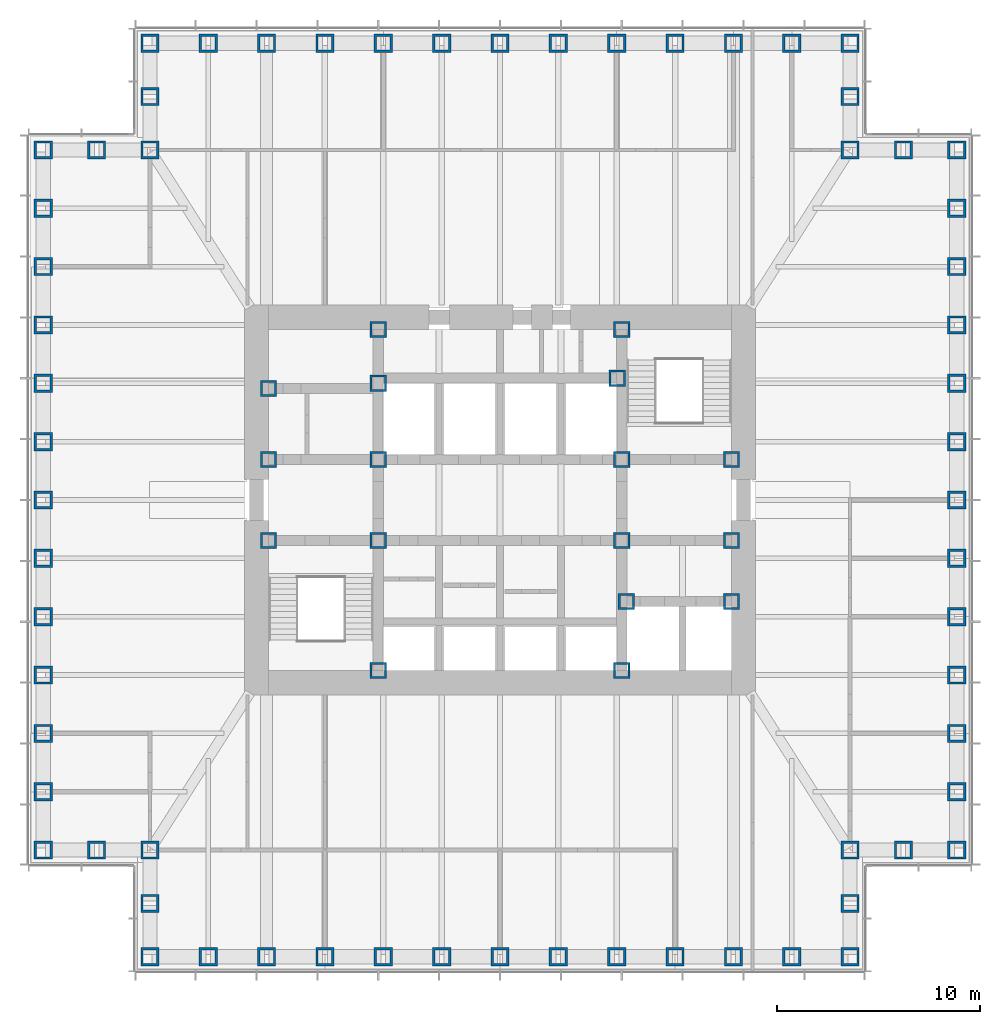
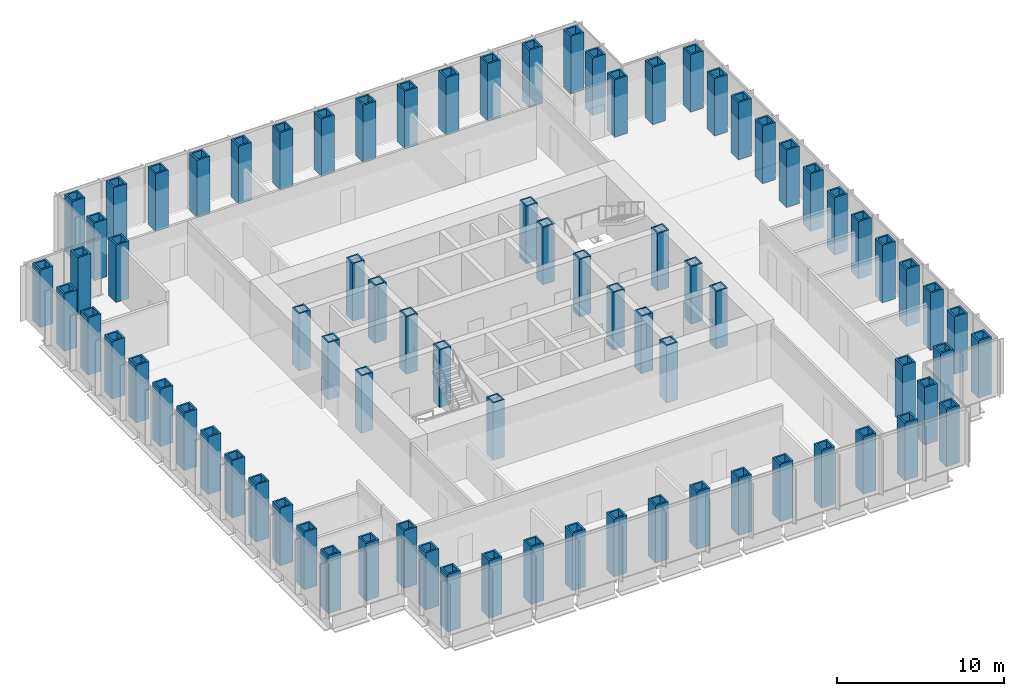
# One storey, part 1 of 17: 81 columns.
"""IFC4 building model written with IfcOpenShell, lengths in metres."""

from ifc_helpers import new_model, si_unit, direction, frame, origin, origin_2d, place, context, subcontext, project, spatial, hollow_rectangle, extrude, material, material_profile, profile_set, type_object, element, save


model = new_model("IFC4")

# Units and contexts
model_context = context("Model", 3, precision=1e-05, world=origin(), true_north=direction((0.0, 1.0)))
body_context = subcontext(model_context, "Body", "Model", "MODEL_VIEW")
ifc_project = project(units=[si_unit("LENGTHUNIT", "METRE"), si_unit("AREAUNIT", "SQUARE_METRE"), si_unit("VOLUMEUNIT", "CUBIC_METRE"), si_unit("PLANEANGLEUNIT", "RADIAN"), si_unit("MASSUNIT", "GRAM", prefix="KILO")], contexts=[model_context])

# Site, building, storey
site_placement = place(None, origin())
site = spatial("IfcSite", under=ifc_project, at=site_placement, CompositionType="ELEMENT")
building_placement = place(site_placement, origin())
building = spatial("IfcBuilding", under=site, at=building_placement, Name="Daluyong Arena Tower", CompositionType="ELEMENT")
storey_placement = place(building_placement, frame((0.0, 0.0, 171.10009765625)))
storey = spatial("IfcBuildingStorey", under=building, at=storey_placement, Name="L38", CompositionType="ELEMENT", Elevation=171.10009765625)

# Columns
ifc_material_1 = material(Name="Steel ASTM A572 Grade 50", Category="steel")
ifc_material_profile_1 = material_profile(ifc_material_1, hollow_rectangle(XDim=0.800048828125, YDim=0.800048828125, WallThickness=0.1, at=origin_2d()))
ifc_profile_set_1 = profile_set([ifc_material_profile_1], Name="Steel ASTM A572 Grade 50")
column_type_1 = type_object("IfcColumnType", Name="Core boundary column BX800X100", PredefinedType="COLUMN", material=ifc_profile_set_1)
for number, where, z_axis, x_axis, name in (
    (1, (44.60009765625, 78.0, 0.0), (0.0, 0.0, 1.0), (1.0, 0.0, 0.0), "core boundary column BC2"),
    (2, (44.60009765625, 82.0, 0.0), (0.0, 0.0, 1.0), (1.0, 0.0, 0.0), "core boundary column BC2"),
    (3, (44.60009765625, 85.5, 0.0), (0.0, 0.0, 1.0), (1.0, 0.0, 0.0), "core boundary column BC2"),
    (4, (50.0, 71.60009765625, 0.0), (0.0, 0.0, 1.0), (1.0, 0.0, 0.0), "core boundary column BC2"),
    (5, (50.0, 78.0, 0.0), (0.0, 0.0, 1.0), (1.0, 0.0, 0.0), "core boundary column BC2"),
    (6, (50.0, 82.0, 0.0), (0.0, 0.0, 1.0), (1.0, 0.0, 0.0), "core boundary column BC2"),
    (7, (50.0, 85.75, 0.0), (0.0, 0.0, 1.0), (1.0, 0.0, 0.0), "core boundary column BC2"),
    (8, (50.0, 88.39990234375, 0.0), (0.0, 0.0, 1.0), (1.0, 0.0, 0.0), "core boundary column BC2"),
    (9, (61.77490234375, 86.0, 0.0), (0.0, 0.0, 1.0), (1.0, 0.0, 0.0), "core boundary column BC2"),
    (10, (62.0, 71.60009765625, 0.0), (0.0, 0.0, 1.0), (1.0, 0.0, 0.0), "core boundary column BC2"),
    (11, (62.0, 78.0, 0.0), (0.0, 0.0, 1.0), (1.0, 0.0, 0.0), "core boundary column BC2"),
    (12, (62.0, 82.0, 0.0), (0.0, 0.0, 1.0), (1.0, 0.0, 0.0), "core boundary column BC2"),
    (13, (62.0, 88.39990234375, 0.0), (0.0, 0.0, 1.0), (1.0, 0.0, 0.0), "core boundary column BC2"),
    (14, (62.22509765625, 75.0, 0.0), (0.0, 0.0, 1.0), (1.0, 0.0, 0.0), "core boundary column BC2"),
    (15, (67.39990234375, 75.0, 0.0), (0.0, 0.0, 1.0), (1.0, 0.0, 0.0), "core boundary column BC2"),
    (16, (67.39990234375, 78.0, 0.0), (0.0, 0.0, 1.0), (1.0, 0.0, 0.0), "core boundary column BC2"),
    (17, (67.39990234375, 82.0, 0.0), (0.0, 0.0, 1.0), (1.0, 0.0, 0.0), "core boundary column BC2"),
):
    element("IfcColumn", number, at=place(storey_placement, frame(where, z_axis=z_axis, x_axis=x_axis)), inside=storey, type_object=column_type_1, Name=name, PredefinedType="COLUMN", context=body_context, shape_type="SweptSolid", body=[
        extrude(hollow_rectangle(XDim=0.800048828125, YDim=0.800048828125, WallThickness=0.1, at=origin_2d()), origin(), (0.0, 0.0, 1.0), 4.199951171875),
    ])
ifc_material_2 = material(Name="Steel ASTM A588 Grade 50", Category="steel")
ifc_material_profile_2 = material_profile(ifc_material_2, hollow_rectangle(XDim=0.89990234375, YDim=0.89990234375, WallThickness=0.12, at=origin_2d()))
ifc_profile_set_2 = profile_set([ifc_material_profile_2], Name="Steel ASTM A588 Grade 50")
column_type_2 = type_object("IfcColumnType", Name="Tube column BX900X120 BX900X120", PredefinedType="COLUMN", material=ifc_profile_set_2)
for number, where, z_axis, x_axis, name in (
    (18, (38.75, 57.5, 0.0), (0.0, 0.0, 1.0), (1.0, 0.0, 0.0), "tube column bx900x120 TC4"),
    (19, (41.625, 57.5, 0.0), (0.0, 0.0, 1.0), (1.0, 0.0, 0.0), "tube column bx900x120 TC4"),
    (20, (44.5, 57.5, 0.0), (0.0, 0.0, 1.0), (1.0, 0.0, 0.0), "tube column bx900x120 TC4"),
    (21, (47.375, 57.5, 0.0), (0.0, 0.0, 1.0), (1.0, 0.0, 0.0), "tube column bx900x120 TC4"),
    (22, (50.25, 57.5, 0.0), (0.0, 0.0, 1.0), (1.0, 0.0, 0.0), "tube column bx900x120 TC4"),
    (23, (53.125, 57.5, 0.0), (0.0, 0.0, 1.0), (1.0, 0.0, 0.0), "tube column bx900x120 TC4"),
    (24, (56.0, 57.5, 0.0), (0.0, 0.0, 1.0), (1.0, 0.0, 0.0), "tube column bx900x120 TC4"),
    (25, (58.875, 57.5, 0.0), (0.0, 0.0, 1.0), (1.0, 0.0, 0.0), "tube column bx900x120 TC4"),
    (26, (61.75, 57.5, 0.0), (0.0, 0.0, 1.0), (1.0, 0.0, 0.0), "tube column bx900x120 TC4"),
    (27, (64.625, 57.5, 0.0), (0.0, 0.0, 1.0), (1.0, 0.0, 0.0), "tube column bx900x120 TC4"),
    (28, (67.5, 57.5, 0.0), (0.0, 0.0, 1.0), (1.0, 0.0, 0.0), "tube column bx900x120 TC4"),
    (29, (70.375, 57.5, 0.0), (0.0, 0.0, 1.0), (1.0, 0.0, 0.0), "tube column bx900x120 TC4"),
    (30, (73.25, 57.5, 0.0), (0.0, 0.0, 1.0), (0.0, 1.0, 0.0), "tube column bx900x120 TC4"),
    (31, (73.25, 60.125, 0.0), (0.0, 0.0, 1.0), (0.0, 1.0, 0.0), "tube column bx900x120 TC4"),
    (32, (73.25, 62.75, 0.0), (0.0, 0.0, 1.0), (1.0, 0.0, 0.0), "tube column bx900x120 TC4"),
    (33, (75.875, 62.75, 0.0), (0.0, 0.0, 1.0), (1.0, 0.0, 0.0), "tube column bx900x120 TC4"),
    (34, (78.5, 62.75, 0.0), (0.0, 0.0, 1.0), (0.0, 1.0, 0.0), "tube column bx900x120 TC4"),
    (35, (78.5, 65.625, 0.0), (0.0, 0.0, 1.0), (0.0, 1.0, 0.0), "tube column bx900x120 TC4"),
    (36, (78.5, 68.5, 0.0), (0.0, 0.0, 1.0), (0.0, 1.0, 0.0), "tube column bx900x120 TC4"),
    (37, (78.5, 71.375, 0.0), (0.0, 0.0, 1.0), (0.0, 1.0, 0.0), "tube column bx900x120 TC4"),
    (38, (78.5, 74.25, 0.0), (0.0, 0.0, 1.0), (0.0, 1.0, 0.0), "tube column bx900x120 TC4"),
    (39, (78.5, 77.125, 0.0), (0.0, 0.0, 1.0), (0.0, 1.0, 0.0), "tube column bx900x120 TC4"),
    (40, (78.5, 80.0, 0.0), (0.0, 0.0, 1.0), (0.0, 1.0, 0.0), "tube column bx900x120 TC4"),
    (41, (78.5, 82.875, 0.0), (0.0, 0.0, 1.0), (0.0, 1.0, 0.0), "tube column bx900x120 TC4"),
    (42, (78.5, 85.75, 0.0), (0.0, 0.0, 1.0), (0.0, 1.0, 0.0), "tube column bx900x120 TC4"),
    (43, (78.5, 88.625, 0.0), (0.0, 0.0, 1.0), (0.0, 1.0, 0.0), "tube column bx900x120 TC4"),
    (44, (78.5, 91.5, 0.0), (0.0, 0.0, 1.0), (0.0, 1.0, 0.0), "tube column bx900x120 TC4"),
    (45, (78.5, 94.375, 0.0), (0.0, 0.0, 1.0), (0.0, 1.0, 0.0), "tube column bx900x120 TC4"),
    (46, (78.5, 97.25, 0.0), (0.0, 0.0, 1.0), (1.0, 0.0, 0.0), "tube column bx900x120 TC4"),
    (47, (75.875, 97.25, 0.0), (0.0, 0.0, 1.0), (1.0, 0.0, 0.0), "tube column bx900x120 TC4"),
    (48, (73.25, 97.25, 0.0), (0.0, 0.0, 1.0), (0.0, 1.0, 0.0), "tube column bx900x120 TC4"),
    (49, (73.25, 99.875, 0.0), (0.0, 0.0, 1.0), (0.0, 1.0, 0.0), "tube column bx900x120 TC4"),
    (50, (73.25, 102.5, 0.0), (0.0, 0.0, 1.0), (1.0, 0.0, 0.0), "tube column bx900x120 TC4"),
    (51, (70.375, 102.5, 0.0), (0.0, 0.0, 1.0), (1.0, 0.0, 0.0), "tube column bx900x120 TC4"),
    (52, (67.5, 102.5, 0.0), (0.0, 0.0, 1.0), (1.0, 0.0, 0.0), "tube column bx900x120 TC4"),
    (53, (64.625, 102.5, 0.0), (0.0, 0.0, 1.0), (1.0, 0.0, 0.0), "tube column bx900x120 TC4"),
    (54, (61.75, 102.5, 0.0), (0.0, 0.0, 1.0), (1.0, 0.0, 0.0), "tube column bx900x120 TC4"),
    (55, (58.875, 102.5, 0.0), (0.0, 0.0, 1.0), (1.0, 0.0, 0.0), "tube column bx900x120 TC4"),
    (56, (56.0, 102.5, 0.0), (0.0, 0.0, 1.0), (1.0, 0.0, 0.0), "tube column bx900x120 TC4"),
    (57, (53.125, 102.5, 0.0), (0.0, 0.0, 1.0), (1.0, 0.0, 0.0), "tube column bx900x120 TC4"),
    (58, (50.25, 102.5, 0.0), (0.0, 0.0, 1.0), (1.0, 0.0, 0.0), "tube column bx900x120 TC4"),
    (59, (47.375, 102.5, 0.0), (0.0, 0.0, 1.0), (1.0, 0.0, 0.0), "tube column bx900x120 TC4"),
    (60, (44.5, 102.5, 0.0), (0.0, 0.0, 1.0), (1.0, 0.0, 0.0), "tube column bx900x120 TC4"),
    (61, (41.625, 102.5, 0.0), (0.0, 0.0, 1.0), (1.0, 0.0, 0.0), "tube column bx900x120 TC4"),
    (62, (38.75, 102.5, 0.0), (0.0, 0.0, 1.0), (0.0, 1.0, 0.0), "tube column bx900x120 TC4"),
    (63, (38.75, 99.875, 0.0), (0.0, 0.0, 1.0), (0.0, 1.0, 0.0), "tube column bx900x120 TC4"),
    (64, (38.75, 97.25, 0.0), (0.0, 0.0, 1.0), (1.0, 0.0, 0.0), "tube column bx900x120 TC4"),
    (65, (36.125, 97.25, 0.0), (0.0, 0.0, 1.0), (1.0, 0.0, 0.0), "tube column bx900x120 TC4"),
    (66, (33.5, 97.25, 0.0), (0.0, 0.0, 1.0), (0.0, 1.0, 0.0), "tube column bx900x120 TC4"),
    (67, (33.5, 94.375, 0.0), (0.0, 0.0, 1.0), (0.0, 1.0, 0.0), "tube column bx900x120 TC4"),
    (68, (33.5, 91.5, 0.0), (0.0, 0.0, 1.0), (0.0, 1.0, 0.0), "tube column bx900x120 TC4"),
    (69, (33.5, 88.625, 0.0), (0.0, 0.0, 1.0), (0.0, 1.0, 0.0), "tube column bx900x120 TC4"),
    (70, (33.5, 85.75, 0.0), (0.0, 0.0, 1.0), (0.0, 1.0, 0.0), "tube column bx900x120 TC4"),
    (71, (33.5, 82.875, 0.0), (0.0, 0.0, 1.0), (0.0, 1.0, 0.0), "tube column bx900x120 TC4"),
    (72, (33.5, 80.0, 0.0), (0.0, 0.0, 1.0), (0.0, 1.0, 0.0), "tube column bx900x120 TC4"),
    (73, (33.5, 77.125, 0.0), (0.0, 0.0, 1.0), (0.0, 1.0, 0.0), "tube column bx900x120 TC4"),
    (74, (33.5, 74.25, 0.0), (0.0, 0.0, 1.0), (0.0, 1.0, 0.0), "tube column bx900x120 TC4"),
    (75, (33.5, 71.375, 0.0), (0.0, 0.0, 1.0), (0.0, 1.0, 0.0), "tube column bx900x120 TC4"),
    (76, (33.5, 68.5, 0.0), (0.0, 0.0, 1.0), (0.0, 1.0, 0.0), "tube column bx900x120 TC4"),
    (77, (33.5, 65.625, 0.0), (0.0, 0.0, 1.0), (0.0, 1.0, 0.0), "tube column bx900x120 TC4"),
    (78, (33.5, 62.75, 0.0), (0.0, 0.0, 1.0), (1.0, 0.0, 0.0), "tube column bx900x120 TC4"),
    (79, (36.125, 62.75, 0.0), (0.0, 0.0, 1.0), (1.0, 0.0, 0.0), "tube column bx900x120 TC4"),
    (80, (38.75, 62.75, 0.0), (0.0, 0.0, 1.0), (0.0, 1.0, 0.0), "tube column bx900x120 TC4"),
    (81, (38.75, 60.125, 0.0), (0.0, 0.0, 1.0), (0.0, 1.0, 0.0), "tube column bx900x120 TC4"),
):
    element("IfcColumn", number, at=place(storey_placement, frame(where, z_axis=z_axis, x_axis=x_axis)), inside=storey, type_object=column_type_2, Name=name, PredefinedType="COLUMN", context=body_context, shape_type="SweptSolid", body=[
        extrude(hollow_rectangle(XDim=0.89990234375, YDim=0.89990234375, WallThickness=0.12, at=origin_2d()), origin(), (0.0, 0.0, 1.0), 4.199951171875),
    ])

save(model, "model.ifc")
